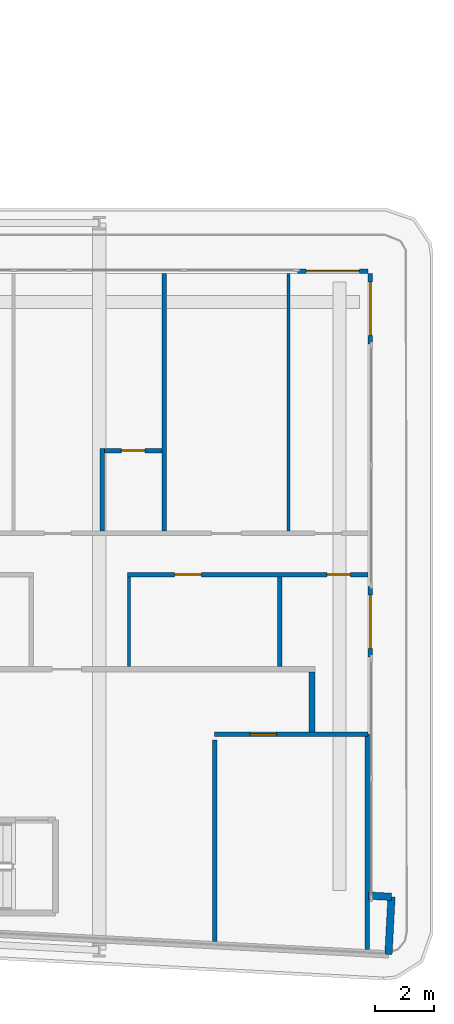
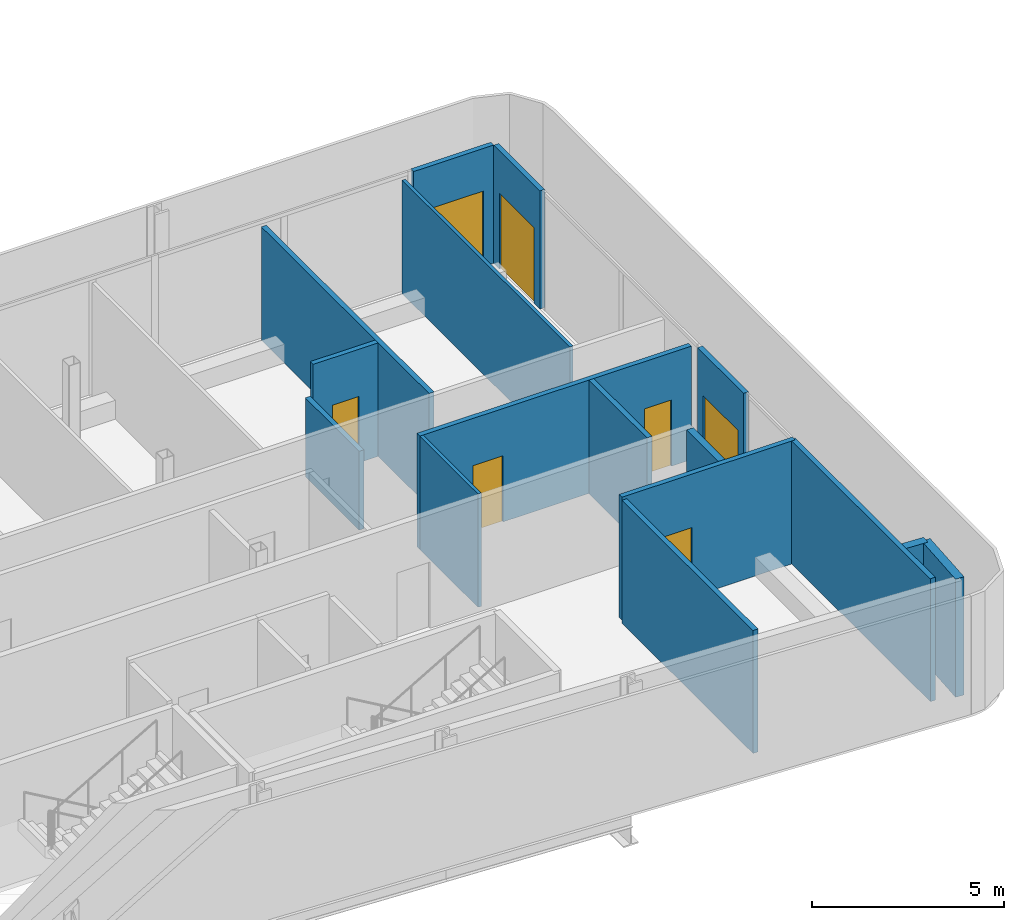
# One storey, part 19 of 28: 16 walls, 7 doors, 7 openings.
"""IFC4 building model written with IfcOpenShell, lengths in metres."""

from ifc_helpers import new_model, si_unit, direction, frame, frame_2d, origin, place, context, subcontext, project, spatial, rectangle, extrude, source, transform, mapped, material, layer, layer_set, type_object, element, fill, save


model = new_model("IFC4")

# Units and contexts
model_context = context("Model", 3, precision=1e-05, world=origin(), true_north=direction((0.0, 1.0)))
body_context = subcontext(model_context, "Body", "Model", "MODEL_VIEW")
ifc_project = project(units=[si_unit("LENGTHUNIT", "METRE"), si_unit("AREAUNIT", "SQUARE_METRE"), si_unit("VOLUMEUNIT", "CUBIC_METRE"), si_unit("PLANEANGLEUNIT", "RADIAN"), si_unit("MASSUNIT", "GRAM", prefix="KILO")], contexts=[model_context])

# Site, building, storey
site_placement = place(None, origin())
site = spatial("IfcSite", under=ifc_project, at=site_placement, CompositionType="ELEMENT")
building_placement = place(site_placement, origin())
building = spatial("IfcBuilding", under=site, at=building_placement, Name="Kheshtan School and Residences Tower", CompositionType="ELEMENT")
storey_placement = place(building_placement, frame((0.0, 0.0, 94.10009765625)))
storey = spatial("IfcBuildingStorey", under=building, at=storey_placement, Name="L21", CompositionType="ELEMENT", Elevation=94.10009765625)

# Walls
ifc_material_1 = material(Name="Gypsum board on steel studs with fire boards", Category="steel")
ifc_layer_1 = layer(ifc_material_1, 0.199951171875)
ifc_layer_set_1 = layer_set([ifc_layer_1], Name="Corridor wall 200")
wall_type_1 = type_object("IfcWallType", Name="Corridor wall 200", PredefinedType="PARTITIONING", material=ifc_layer_set_1)
wall_1_placement = place(storey_placement, frame((98.0, 28.3740234375, 0.0), z_axis=(0.0, 0.0, 1.0), x_axis=(0.0, 1.0, 0.0)))
element("IfcWall", 1, at=wall_1_placement, inside=storey, type_object=wall_type_1, Name="Partition L21-069", PredefinedType="PARTITIONING", context=body_context, shape_type="SweptSolid", body=[
    extrude(rectangle(XDim=2.02587890625, YDim=0.199951171875, at=frame_2d((1.012939453125, 0.0))), origin(), (0.0, 0.0, 1.0), 3.599853515625),
])
ifc_material_2 = material(Name="Concrete C40/50 with ceramic cladding and mineral wool insulation", Category="concrete")
ifc_layer_2 = layer(ifc_material_2, 0.25)
ifc_layer_set_2 = layer_set([ifc_layer_2], Name="External wall 250 ceramic clad")
wall_type_2 = type_object("IfcWallType", Name="External wall 250 ceramic clad", PredefinedType="SOLIDWALL", material=ifc_layer_set_2)
wall_2_placement = place(storey_placement, frame((99.906982421875, 22.839111328125, 0.0), z_axis=(0.0, 0.0, 1.0), x_axis=(0.998561284263, -0.053622398031, 0.0)))
element("IfcWall", 2, at=wall_2_placement, inside=storey, type_object=wall_type_2, Name="External wall L21 10", PredefinedType="SOLIDWALL", context=body_context, shape_type="SweptSolid", body=[
    extrude(rectangle(XDim=0.783203125, YDim=0.25, at=frame_2d((0.3916015625, 0.0))), origin(), (0.0, 0.0, 1.0), 3.75),
])
wall_3_placement = place(storey_placement, frame((100.68896484375, 22.797119140625, 0.0), z_axis=(0.0, 0.0, 1.0), x_axis=(-0.052841433274, -0.998602915542, 0.0)))
element("IfcWall", 3, at=wall_3_placement, inside=storey, type_object=wall_type_2, Name="External wall L21 11", PredefinedType="SOLIDWALL", context=body_context, shape_type="SweptSolid", body=[
    extrude(rectangle(XDim=1.94970703125, YDim=0.25, at=frame_2d((0.974853515625, 0.0))), origin(), (0.0, 0.0, 1.0), 3.75),
])

# Wall, opening, door
ifc_material_3 = material(Name="Aluminium frame wall with insulated infill", Category="aluminium")
ifc_layer_3 = layer(ifc_material_3, 0.14990234375)
ifc_layer_set_3 = layer_set([ifc_layer_3], Name="Glazing frame wall 150")
wall_type_3 = type_object("IfcWallType", Name="Glazing frame wall 150", PredefinedType="SOLIDWALL", material=ifc_layer_set_3)
wall_4_placement = place(storey_placement, frame((97.5, 43.97509765625, 0.0), z_axis=(0.0, 0.0, 1.0), x_axis=(1.0, 0.0, 0.0)))
wall_4 = element("IfcWall", 4, at=wall_4_placement, inside=storey, type_object=wall_type_3, Name="Balcony door wall L21 8.5", PredefinedType="SOLIDWALL", context=body_context, shape_type="SweptSolid", body=[
    extrude(rectangle(XDim=2.39990234375, YDim=0.14990234375, at=frame_2d((1.199951171875, 0.0))), origin(), (0.0, 0.0, 1.0), 3.75),
])
opening_1_placement = place(wall_4_placement, frame((0.300048828125, 0.0, 0.0)))
opening_1 = element("IfcOpeningElement", 5, at=opening_1_placement, cuts=wall_4, Name="Opening BD", PredefinedType="OPENING", context=body_context, shape_type="SweptSolid", body=[
    extrude(rectangle(XDim=1.800048828125, YDim=2.39990234375, at=frame_2d((0.89990234375, 1.199951171875))), frame((0.0, 0.0849609375, 0.0), z_axis=(0.0, -1.0, 0.0), x_axis=(1.0, 0.0, 0.0)), (0.0, 0.0, 1.0), 0.169921875),
])
ifc_material_4 = material(Name="Clear low-e glass in thermally broken aluminium frame", Category="aluminium")
door_type_1 = type_object("IfcDoorType", Name="Balcony sliding door", OperationType="SLIDING_TO_LEFT", PredefinedType="DOOR", material=ifc_material_4)
shared_shape_1 = source(origin(), body_context, "Body", "SweptSolid", [
    extrude(rectangle(XDim=1.800048828125, YDim=2.39990234375, at=frame_2d((0.89990234375, 1.199951171875))), frame((0.0, 0.02490234375, 0.0), z_axis=(0.0, -1.0, 0.0), x_axis=(1.0, 0.0, 0.0)), (0.0, 0.0, 1.0), 0.050048828125),
])
door_1_placement = place(opening_1_placement, origin())
door_1 = element("IfcDoor", 6, at=door_1_placement, inside=storey, type_object=door_type_1, Name="Balcony door L21 8.5", OperationType="SLIDING_TO_LEFT", OverallHeight=2.39990234375, OverallWidth=1.800048828125, PredefinedType="DOOR", context=body_context, shape_type="MappedRepresentation", body=[
    mapped(shared_shape_1, transform((0.0, 0.0, 0.0), x_axis=(1.0, 0.0, 0.0), y_axis=(0.0, 1.0, 0.0), z_axis=(0.0, 0.0, 1.0), scale=1.0)),
])
fill(opening_1, door_1)

wall_5_placement = place(storey_placement, frame((99.97509765625, 43.89990234375, 0.0), z_axis=(0.0, 0.0, 1.0), x_axis=(0.0, -1.0, 0.0)))
wall_5 = element("IfcWall", 7, at=wall_5_placement, inside=storey, type_object=wall_type_3, Name="Balcony door wall L21 9.1", PredefinedType="SOLIDWALL", context=body_context, shape_type="SweptSolid", body=[
    extrude(rectangle(XDim=2.39990234375, YDim=0.14990234375, at=frame_2d((1.199951171875, 0.0))), origin(), (0.0, 0.0, 1.0), 3.75),
])
opening_2_placement = place(wall_5_placement, frame((0.300048828125, 0.0, 0.0)))
opening_2 = element("IfcOpeningElement", 8, at=opening_2_placement, cuts=wall_5, Name="Opening BD", PredefinedType="OPENING", context=body_context, shape_type="SweptSolid", body=[
    extrude(rectangle(XDim=1.800048828125, YDim=2.39990234375, at=frame_2d((0.89990234375, 1.199951171875))), frame((0.0, 0.0849609375, 0.0), z_axis=(0.0, -1.0, 0.0), x_axis=(1.0, 0.0, 0.0)), (0.0, 0.0, 1.0), 0.169921875),
])
door_2_placement = place(opening_2_placement, origin())
door_2 = element("IfcDoor", 9, at=door_2_placement, inside=storey, type_object=door_type_1, Name="Balcony door L21 9.1", OperationType="SLIDING_TO_LEFT", OverallHeight=2.39990234375, OverallWidth=1.800048828125, PredefinedType="DOOR", context=body_context, shape_type="MappedRepresentation", body=[
    mapped(shared_shape_1, transform((0.0, 0.0, 0.0), x_axis=(1.0, 0.0, 0.0), y_axis=(0.0, 1.0, 0.0), z_axis=(0.0, 0.0, 1.0), scale=1.0)),
])
fill(opening_2, door_2)

wall_6_placement = place(storey_placement, frame((99.97509765625, 33.306884765625, 0.0), z_axis=(0.0, 0.0, 1.0), x_axis=(0.0, -1.0, 0.0)))
wall_6 = element("IfcWall", 10, at=wall_6_placement, inside=storey, type_object=wall_type_3, Name="Balcony door wall L21 9.2", PredefinedType="SOLIDWALL", context=body_context, shape_type="SweptSolid", body=[
    extrude(rectangle(XDim=2.39990234375, YDim=0.14990234375, at=frame_2d((1.199951171875, 0.0))), origin(), (0.0, 0.0, 1.0), 3.75),
])
opening_3_placement = place(wall_6_placement, frame((0.300048828125, 0.0, 0.0)))
opening_3 = element("IfcOpeningElement", 11, at=opening_3_placement, cuts=wall_6, Name="Opening BD", PredefinedType="OPENING", context=body_context, shape_type="SweptSolid", body=[
    extrude(rectangle(XDim=1.800048828125, YDim=2.39990234375, at=frame_2d((0.89990234375, 1.199951171875))), frame((0.0, 0.0849609375, 0.0), z_axis=(0.0, -1.0, 0.0), x_axis=(1.0, 0.0, 0.0)), (0.0, 0.0, 1.0), 0.169921875),
])
door_3_placement = place(opening_3_placement, origin())
door_3 = element("IfcDoor", 12, at=door_3_placement, inside=storey, type_object=door_type_1, Name="Balcony door L21 9.2", OperationType="SLIDING_TO_LEFT", OverallHeight=2.39990234375, OverallWidth=1.800048828125, PredefinedType="DOOR", context=body_context, shape_type="MappedRepresentation", body=[
    mapped(shared_shape_1, transform((0.0, 0.0, 0.0), x_axis=(1.0, 0.0, 0.0), y_axis=(0.0, 1.0, 0.0), z_axis=(0.0, 0.0, 1.0), scale=1.0)),
])
fill(opening_3, door_3)

# Walls
ifc_material_5 = material(Name="Gypsum board on steel studs", Category="steel")
ifc_layer_4 = layer(ifc_material_5, 0.10009765625)
ifc_layer_set_4 = layer_set([ifc_layer_4], Name="Gypsum partition 100")
wall_type_4 = type_object("IfcWallType", Name="Gypsum partition 100", PredefinedType="PARTITIONING", material=ifc_layer_set_4)
wall_7_placement = place(storey_placement, frame((91.800048828125, 30.60009765625, 0.0), z_axis=(0.0, 0.0, 1.0), x_axis=(0.0, 1.0, 0.0)))
element("IfcWall", 13, at=wall_7_placement, inside=storey, type_object=wall_type_4, Name="Partition L21-065", PredefinedType="PARTITIONING", context=body_context, shape_type="SweptSolid", body=[
    extrude(rectangle(XDim=3.02490234375, YDim=0.10009765625, at=frame_2d((1.512451171875, 0.0))), origin(), (0.0, 0.0, 1.0), 3.599853515625),
])
wall_8_placement = place(storey_placement, frame((97.199951171875, 35.175048828125, 0.0), z_axis=(0.0, 0.0, 1.0), x_axis=(0.0, 1.0, 0.0)))
element("IfcWall", 14, at=wall_8_placement, inside=storey, type_object=wall_type_4, Name="Partition L21-068", PredefinedType="PARTITIONING", context=body_context, shape_type="SweptSolid", body=[
    extrude(rectangle(XDim=8.724853515625, YDim=0.10009765625, at=frame_2d((4.3623046875, 0.0))), origin(), (0.0, 0.0, 1.0), 3.599853515625),
])
ifc_material_6 = material(Name="Fire-board shaft wall system")
ifc_layer_5 = layer(ifc_material_6, 0.14990234375)
ifc_layer_set_5 = layer_set([ifc_layer_5], Name="Service room wall 150")
wall_type_5 = type_object("IfcWallType", Name="Service room wall 150", PredefinedType="PARTITIONING", material=ifc_layer_set_5)
wall_9_placement = place(storey_placement, frame((99.8701171875, 21.014892578125, 0.0), z_axis=(0.0, 0.0, 1.0), x_axis=(0.0, 1.0, 0.0)))
element("IfcWall", 15, at=wall_9_placement, inside=storey, type_object=wall_type_5, Name="Service room wall", PredefinedType="PARTITIONING", context=body_context, shape_type="SweptSolid", body=[
    extrude(rectangle(XDim=7.28515625, YDim=0.14990234375, at=frame_2d((3.642578125, 0.0))), origin(), (0.0, 0.0, 1.0), 3.89990234375),
])

# Wall, opening, door
wall_10_placement = place(storey_placement, frame((94.7060546875, 28.300048828125, 0.0), z_axis=(0.0, 0.0, 1.0), x_axis=(1.0, 0.0, 0.0)))
wall_10 = element("IfcWall", 16, at=wall_10_placement, inside=storey, type_object=wall_type_5, Name="Service room wall", PredefinedType="PARTITIONING", context=body_context, shape_type="SweptSolid", body=[
    extrude(rectangle(XDim=5.19189453125, YDim=0.14990234375, at=frame_2d((2.595947265625, 0.0))), origin(), (0.0, 0.0, 1.0), 3.89990234375),
])
opening_4_placement = place(wall_10_placement, frame((1.197021484375, 0.0, 0.0)))
opening_4 = element("IfcOpeningElement", 17, at=opening_4_placement, cuts=wall_10, Name="Opening SR90", PredefinedType="OPENING", context=body_context, shape_type="SweptSolid", body=[
    extrude(rectangle(XDim=0.89990234375, YDim=2.199951171875, at=frame_2d((0.449951171875, 1.10009765625))), frame((0.0, 0.0849609375, 0.0), z_axis=(0.0, -1.0, 0.0), x_axis=(1.0, 0.0, 0.0)), (0.0, 0.0, 1.0), 0.169921875),
])
ifc_material_7 = material(Name="Steel door leaf, galvanised", Category="steel")
door_type_2 = type_object("IfcDoorType", Name="Service room door 900 steel 90 min", OperationType="SINGLE_SWING_LEFT", PredefinedType="DOOR", material=ifc_material_7)
shared_shape_2 = source(origin(), body_context, "Body", "SweptSolid", [
    extrude(rectangle(XDim=0.89990234375, YDim=2.199951171875, at=frame_2d((0.449951171875, 1.10009765625))), frame((0.0, 0.02490234375, 0.0), z_axis=(0.0, -1.0, 0.0), x_axis=(1.0, 0.0, 0.0)), (0.0, 0.0, 1.0), 0.050048828125),
])
door_4_placement = place(opening_4_placement, origin())
door_4 = element("IfcDoor", 18, at=door_4_placement, inside=storey, type_object=door_type_2, Name="Service room door", OperationType="SINGLE_SWING_LEFT", OverallHeight=2.199951171875, OverallWidth=0.89990234375, PredefinedType="DOOR", context=body_context, shape_type="MappedRepresentation", body=[
    mapped(shared_shape_2, transform((0.0, 0.0, 0.0), x_axis=(1.0, 0.0, 0.0), y_axis=(0.0, 1.0, 0.0), z_axis=(0.0, 0.0, 1.0), scale=1.0)),
])
fill(opening_4, door_4)

# Walls
wall_11_placement = place(storey_placement, frame((94.7060546875, 21.287109375, 0.0), z_axis=(0.0, 0.0, 1.0), x_axis=(0.0, 1.0, 0.0)))
element("IfcWall", 19, at=wall_11_placement, inside=storey, type_object=wall_type_5, Name="Service room wall", PredefinedType="PARTITIONING", context=body_context, shape_type="SweptSolid", body=[
    extrude(rectangle(XDim=6.81787109375, YDim=0.14990234375, at=frame_2d((3.408935546875, 0.0))), origin(), (0.0, 0.0, 1.0), 3.89990234375),
])
ifc_material_8 = material(Name="Moisture-resistant gypsum board on steel studs", Category="steel")
ifc_layer_6 = layer(ifc_material_8, 0.14990234375)
ifc_layer_set_6 = layer_set([ifc_layer_6], Name="Wet-room partition 150")
wall_type_6 = type_object("IfcWallType", Name="Wet-room partition 150", PredefinedType="PARTITIONING", material=ifc_layer_set_6)
wall_12_placement = place(storey_placement, frame((90.89990234375, 35.175048828125, 0.0), z_axis=(0.0, 0.0, 1.0), x_axis=(0.0, 1.0, 0.0)))
element("IfcWall", 20, at=wall_12_placement, inside=storey, type_object=wall_type_6, Name="Partition L21-062", PredefinedType="PARTITIONING", context=body_context, shape_type="SweptSolid", body=[
    extrude(rectangle(XDim=2.800048828125, YDim=0.14990234375, at=frame_2d((1.39990234375, 0.0))), origin(), (0.0, 0.0, 1.0), 2.5),
])

# Wall, opening, door
wall_13_placement = place(storey_placement, frame((90.97509765625, 37.89990234375, 0.0), z_axis=(0.0, 0.0, 1.0), x_axis=(1.0, 0.0, 0.0)))
wall_13 = element("IfcWall", 21, at=wall_13_placement, inside=storey, type_object=wall_type_6, Name="Partition L21-063", PredefinedType="PARTITIONING", context=body_context, shape_type="SweptSolid", body=[
    extrude(rectangle(XDim=1.949951171875, YDim=0.14990234375, at=frame_2d((0.97509765625, 0.0))), origin(), (0.0, 0.0, 1.0), 3.599853515625),
])
opening_5_placement = place(wall_13_placement, frame((0.574951171875, 0.0, 0.0)))
opening_5 = element("IfcOpeningElement", 22, at=opening_5_placement, cuts=wall_13, Name="Opening D21-022", PredefinedType="OPENING", context=body_context, shape_type="SweptSolid", body=[
    extrude(rectangle(XDim=0.800048828125, YDim=2.10009765625, at=frame_2d((0.39990234375, 1.050048828125))), frame((0.0, 0.0849609375, 0.0), z_axis=(0.0, -1.0, 0.0), x_axis=(1.0, 0.0, 0.0)), (0.0, 0.0, 1.0), 0.169921875),
])
ifc_material_9 = material(Name="Veneered timber door leaf", Category="wood")
door_type_3 = type_object("IfcDoorType", Name="Door 800 x 2100", OperationType="SINGLE_SWING_LEFT", PredefinedType="DOOR", material=ifc_material_9)
shared_shape_3 = source(origin(), body_context, "Body", "SweptSolid", [
    extrude(rectangle(XDim=0.800048828125, YDim=2.10009765625, at=frame_2d((0.39990234375, 1.050048828125))), frame((0.0, 0.02490234375, 0.0), z_axis=(0.0, -1.0, 0.0), x_axis=(1.0, 0.0, 0.0)), (0.0, 0.0, 1.0), 0.050048828125),
])
door_5_placement = place(opening_5_placement, origin())
door_5 = element("IfcDoor", 23, at=door_5_placement, inside=storey, type_object=door_type_3, Name="Door D21-022", OperationType="SINGLE_SWING_LEFT", OverallHeight=2.10009765625, OverallWidth=0.800048828125, PredefinedType="DOOR", context=body_context, shape_type="MappedRepresentation", body=[
    mapped(shared_shape_3, transform((0.0, 0.0, 0.0), x_axis=(1.0, 0.0, 0.0), y_axis=(0.0, 1.0, 0.0), z_axis=(0.0, 0.0, 1.0), scale=1.0)),
])
fill(opening_5, door_5)

# Wall, openings, doors
wall_14_placement = place(storey_placement, frame((91.75, 33.699951171875, 0.0), z_axis=(0.0, 0.0, 1.0), x_axis=(1.0, 0.0, 0.0)))
wall_14 = element("IfcWall", 24, at=wall_14_placement, inside=storey, type_object=wall_type_6, Name="Partition L21-064", PredefinedType="PARTITIONING", context=body_context, shape_type="SweptSolid", body=[
    extrude(rectangle(XDim=8.14990234375, YDim=0.14990234375, at=frame_2d((4.074951171875, 0.0))), origin(), (0.0, 0.0, 1.0), 3.599853515625),
])
opening_6_placement = place(wall_14_placement, frame((6.75, 0.0, 0.0)))
opening_6 = element("IfcOpeningElement", 25, at=opening_6_placement, cuts=wall_14, Name="Opening D21-018", PredefinedType="OPENING", context=body_context, shape_type="SweptSolid", body=[
    extrude(rectangle(XDim=0.800048828125, YDim=2.10009765625, at=frame_2d((0.39990234375, 1.050048828125))), frame((0.0, 0.0849609375, 0.0), z_axis=(0.0, -1.0, 0.0), x_axis=(1.0, 0.0, 0.0)), (0.0, 0.0, 1.0), 0.169921875),
])
opening_7_placement = place(wall_14_placement, frame((1.60009765625, 0.0, 0.0)))
opening_7 = element("IfcOpeningElement", 26, at=opening_7_placement, cuts=wall_14, Name="Opening D21-024", PredefinedType="OPENING", context=body_context, shape_type="SweptSolid", body=[
    extrude(rectangle(XDim=0.89990234375, YDim=2.10009765625, at=frame_2d((0.449951171875, 1.050048828125))), frame((0.0, 0.0849609375, 0.0), z_axis=(0.0, -1.0, 0.0), x_axis=(1.0, 0.0, 0.0)), (0.0, 0.0, 1.0), 0.169921875),
])
door_6_placement = place(opening_6_placement, origin())
door_6 = element("IfcDoor", 27, at=door_6_placement, inside=storey, type_object=door_type_3, Name="Door D21-018", OperationType="SINGLE_SWING_LEFT", OverallHeight=2.10009765625, OverallWidth=0.800048828125, PredefinedType="DOOR", context=body_context, shape_type="MappedRepresentation", body=[
    mapped(shared_shape_3, transform((0.0, 0.0, 0.0), x_axis=(1.0, 0.0, 0.0), y_axis=(0.0, 1.0, 0.0), z_axis=(0.0, 0.0, 1.0), scale=1.0)),
])
fill(opening_6, door_6)
door_type_4 = type_object("IfcDoorType", Name="Door 900 x 2100", OperationType="SINGLE_SWING_LEFT", PredefinedType="DOOR", material=ifc_material_9)
shared_shape_4 = source(origin(), body_context, "Body", "SweptSolid", [
    extrude(rectangle(XDim=0.89990234375, YDim=2.10009765625, at=frame_2d((0.449951171875, 1.050048828125))), frame((0.0, 0.02490234375, 0.0), z_axis=(0.0, -1.0, 0.0), x_axis=(1.0, 0.0, 0.0)), (0.0, 0.0, 1.0), 0.050048828125),
])
door_7_placement = place(opening_7_placement, origin())
door_7 = element("IfcDoor", 28, at=door_7_placement, inside=storey, type_object=door_type_4, Name="Door D21-024", OperationType="SINGLE_SWING_LEFT", OverallHeight=2.10009765625, OverallWidth=0.89990234375, PredefinedType="DOOR", context=body_context, shape_type="MappedRepresentation", body=[
    mapped(shared_shape_4, transform((0.0, 0.0, 0.0), x_axis=(1.0, 0.0, 0.0), y_axis=(0.0, 1.0, 0.0), z_axis=(0.0, 0.0, 1.0), scale=1.0)),
])
fill(opening_7, door_7)

# Walls
wall_15_placement = place(storey_placement, frame((93.0, 35.175048828125, 0.0), z_axis=(0.0, 0.0, 1.0), x_axis=(0.0, 1.0, 0.0)))
element("IfcWall", 29, at=wall_15_placement, inside=storey, type_object=wall_type_6, Name="Partition L21-066", PredefinedType="PARTITIONING", context=body_context, shape_type="SweptSolid", body=[
    extrude(rectangle(XDim=8.724853515625, YDim=0.14990234375, at=frame_2d((4.3623046875, 0.0))), origin(), (0.0, 0.0, 1.0), 3.599853515625),
])
wall_16_placement = place(storey_placement, frame((96.89990234375, 30.60009765625, 0.0), z_axis=(0.0, 0.0, 1.0), x_axis=(0.0, 1.0, 0.0)))
element("IfcWall", 30, at=wall_16_placement, inside=storey, type_object=wall_type_6, Name="Partition L21-067", PredefinedType="PARTITIONING", context=body_context, shape_type="SweptSolid", body=[
    extrude(rectangle(XDim=3.02490234375, YDim=0.14990234375, at=frame_2d((1.512451171875, 0.0))), origin(), (0.0, 0.0, 1.0), 3.599853515625),
])

save(model, "model.ifc")
